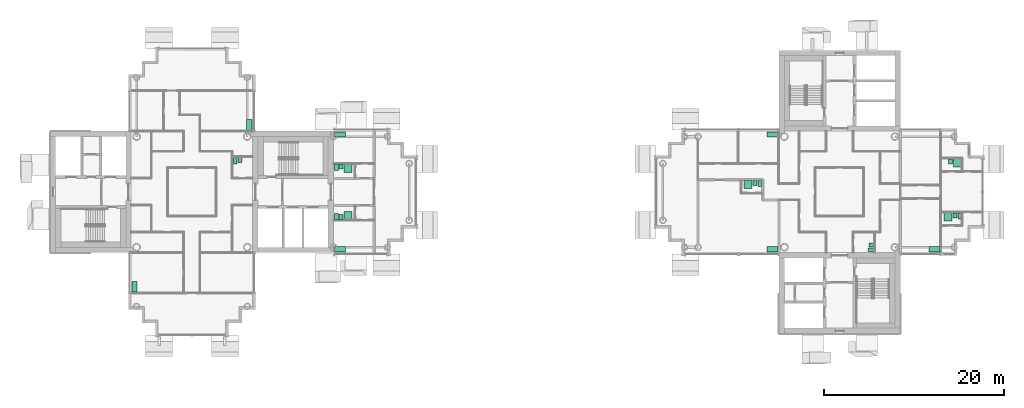
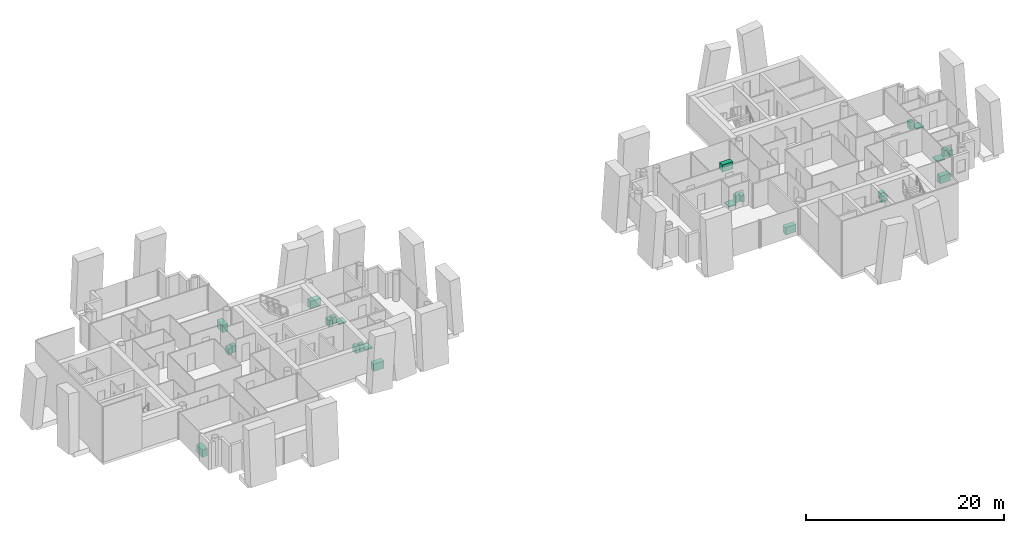
# One storey, part 19 of 19: 25 sanitary terminals.
"""IFC4 building model written with IfcOpenShell, lengths in metres."""

from ifc_helpers import new_model, si_unit, direction, frame, origin, origin_2d, place, context, subcontext, project, spatial, rectangle, extrude, material, type_object, element, save


model = new_model("IFC4")

# Units and contexts
model_context = context("Model", 3, precision=1e-05, world=origin(), true_north=direction((0.0, 1.0)))
body_context = subcontext(model_context, "Body", "Model", "MODEL_VIEW")
ifc_project = project(units=[si_unit("LENGTHUNIT", "METRE"), si_unit("AREAUNIT", "SQUARE_METRE"), si_unit("VOLUMEUNIT", "CUBIC_METRE"), si_unit("PLANEANGLEUNIT", "RADIAN"), si_unit("MASSUNIT", "GRAM", prefix="KILO")], contexts=[model_context])

# Site, building, storey
site_placement = place(None, origin())
site = spatial("IfcSite", under=ifc_project, at=site_placement, CompositionType="ELEMENT")
building_placement = place(site_placement, origin())
building = spatial("IfcBuilding", under=site, at=building_placement, Name="Ipe Terrace Towers", CompositionType="ELEMENT")
storey_placement = place(building_placement, frame((0.0, 0.0, 189.199951171875)))
storey = spatial("IfcBuildingStorey", under=building, at=storey_placement, Name="L52", CompositionType="ELEMENT", Elevation=189.199951171875)

# Sanitary terminals
ifc_material_1 = material(Name="Stainless sink unit", Category="metal")
sanitary_terminal_type_1 = type_object("IfcSanitaryTerminalType", Name="Kitchen sink unit", PredefinedType="SINK", material=ifc_material_1)
for number, where, z_axis, x_axis, name in (
    (1, (-29.6201171875, 7.469970703125, 0.0), (0.0, 0.0, 1.0), (0.0, -1.0, 0.0), "Kitchen sink unit"),
    (2, (-42.3798828125, -10.530029296875, 0.0), (0.0, 0.0, 1.0), (0.0, 1.0, 0.0), "Kitchen sink unit"),
    (3, (-19.530029296875, 6.3798828125, 0.0), (0.0, 0.0, 1.0), (1.0, 0.0, 0.0), "Kitchen sink unit"),
    (4, (-19.530029296875, -6.3798828125, 0.0), (0.0, 0.0, 1.0), (-1.0, 0.0, 0.0), "Kitchen sink unit"),
    (5, (28.530029296875, -6.3798828125, 0.0), (0.0, 0.0, 1.0), (-1.0, 0.0, 0.0), "Kitchen sink unit"),
    (6, (28.530029296875, 6.3798828125, 0.0), (0.0, 0.0, 1.0), (1.0, 0.0, 0.0), "Kitchen sink unit"),
    (7, (46.530029296875, -6.3798828125, 0.0), (0.0, 0.0, 1.0), (-1.0, 0.0, 0.0), "Kitchen sink unit"),
):
    element("IfcSanitaryTerminal", number, at=place(storey_placement, frame(where, z_axis=z_axis, x_axis=x_axis)), inside=storey, type_object=sanitary_terminal_type_1, Name=name, PredefinedType="SINK", context=body_context, shape_type="SweptSolid", body=[
        extrude(rectangle(XDim=1.199951171875, YDim=0.60009765625, at=origin_2d()), origin(), (0.0, 0.0, 1.0), 0.89990234375),
    ])
ifc_material_2 = material(Name="Acrylic", Category="plastic")
sanitary_terminal_type_2 = type_object("IfcSanitaryTerminalType", Name="Shower tray", PredefinedType="SHOWER", material=ifc_material_2)
for number, where, z_axis, x_axis, name in (
    (8, (-18.6298828125, 2.6298828125, 0.0), (0.0, 0.0, 1.0), (0.0, -1.0, 0.0), "Shower tray"),
    (9, (-18.6298828125, -2.6298828125, 0.0), (0.0, 0.0, 1.0), (0.0, 1.0, 0.0), "Shower tray"),
    (10, (25.830078125, 0.830078125, 0.0), (0.0, 0.0, 1.0), (0.0, -1.0, 0.0), "Shower tray"),
    (11, (49.080078125, 3.22998046875, 0.0), (0.0, 0.0, 1.0), (0.0, -1.0, 0.0), "Shower tray"),
    (12, (48.030029296875, -2.77001953125, 0.0), (0.0, 0.0, 1.0), (0.0, -1.0, 0.0), "Shower tray"),
):
    element("IfcSanitaryTerminal", number, at=place(storey_placement, frame(where, z_axis=z_axis, x_axis=x_axis)), inside=storey, type_object=sanitary_terminal_type_2, Name=name, PredefinedType="SHOWER", context=body_context, shape_type="SweptSolid", body=[
        extrude(rectangle(XDim=0.89990234375, YDim=0.89990234375, at=origin_2d()), origin(), (0.0, 0.0, 1.0), 0.14990234375),
    ])
ifc_material_3 = material(Name="Vitreous china", Category="ceramic")
sanitary_terminal_type_3 = type_object("IfcSanitaryTerminalType", Name="Wash basin", PredefinedType="WASHHANDBASIN", material=ifc_material_3)
for number, where, z_axis, x_axis, name in (
    (13, (-30.655029296875, 3.554931640625, 0.0), (0.0, 0.0, 1.0), (0.0, -1.0, 0.0), "Wash basin"),
    (14, (-19.405029296875, 2.804931640625, 0.0), (0.0, 0.0, 1.0), (0.0, -1.0, 0.0), "Wash basin"),
    (15, (-19.405029296875, -2.804931640625, 0.0), (0.0, 0.0, 1.0), (0.0, 1.0, 0.0), "Wash basin"),
    (16, (39.554931640625, -5.905029296875, 0.0), (0.0, 0.0, 1.0), (-1.0, 0.0, 0.0), "Wash basin"),
    (17, (26.60498046875, 1.0048828125, 0.0), (0.0, 0.0, 1.0), (0.0, -1.0, 0.0), "Wash basin"),
    (18, (48.304931640625, 3.405029296875, 0.0), (0.0, 0.0, 1.0), (0.0, -1.0, 0.0), "Wash basin"),
    (19, (48.804931640625, -2.594970703125, 0.0), (0.0, 0.0, 1.0), (0.0, -1.0, 0.0), "Wash basin"),
):
    element("IfcSanitaryTerminal", number, at=place(storey_placement, frame(where, z_axis=z_axis, x_axis=x_axis)), inside=storey, type_object=sanitary_terminal_type_3, Name=name, PredefinedType="WASHHANDBASIN", context=body_context, shape_type="SweptSolid", body=[
        extrude(rectangle(XDim=0.550048828125, YDim=0.449951171875, at=origin_2d()), origin(), (0.0, 0.0, 1.0), 0.85009765625),
    ])
ifc_material_4 = material(Name="Vitreous china", Category="ceramic")
sanitary_terminal_type_4 = type_object("IfcSanitaryTerminalType", Name="Water closet", PredefinedType="TOILETPAN", material=ifc_material_4)
for number, where, z_axis, x_axis, name in (
    (20, (-31.179931640625, 3.47998046875, 0.0), (0.0, 0.0, 1.0), (0.0, -1.0, 0.0), "Water closet"),
    (21, (-19.929931640625, 2.72998046875, 0.0), (0.0, 0.0, 1.0), (0.0, -1.0, 0.0), "Water closet"),
    (22, (-19.929931640625, -2.72998046875, 0.0), (0.0, 0.0, 1.0), (0.0, 1.0, 0.0), "Water closet"),
    (23, (39.47998046875, -6.429931640625, 0.0), (0.0, 0.0, 1.0), (-1.0, 0.0, 0.0), "Water closet"),
    (24, (27.1298828125, 0.929931640625, 0.0), (0.0, 0.0, 1.0), (0.0, -1.0, 0.0), "Water closet"),
    (25, (49.330078125, -2.669921875, 0.0), (0.0, 0.0, 1.0), (0.0, -1.0, 0.0), "Water closet"),
):
    element("IfcSanitaryTerminal", number, at=place(storey_placement, frame(where, z_axis=z_axis, x_axis=x_axis)), inside=storey, type_object=sanitary_terminal_type_4, Name=name, PredefinedType="TOILETPAN", context=body_context, shape_type="SweptSolid", body=[
        extrude(rectangle(XDim=0.699951171875, YDim=0.39990234375, at=origin_2d()), origin(), (0.0, 0.0, 1.0), 0.780029296875),
    ])

save(model, "model.ifc")
